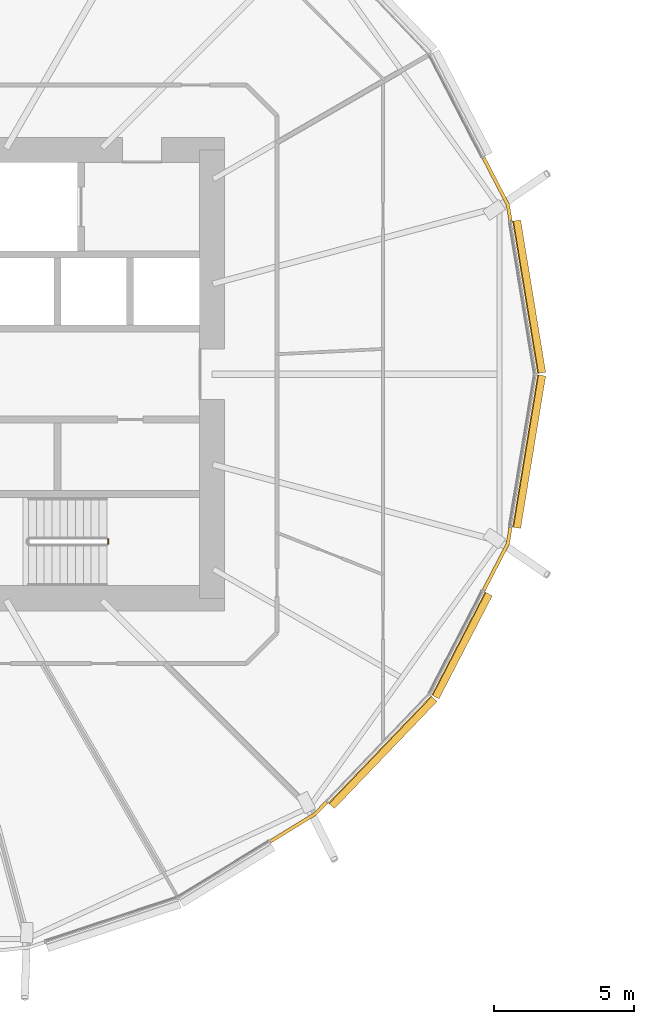
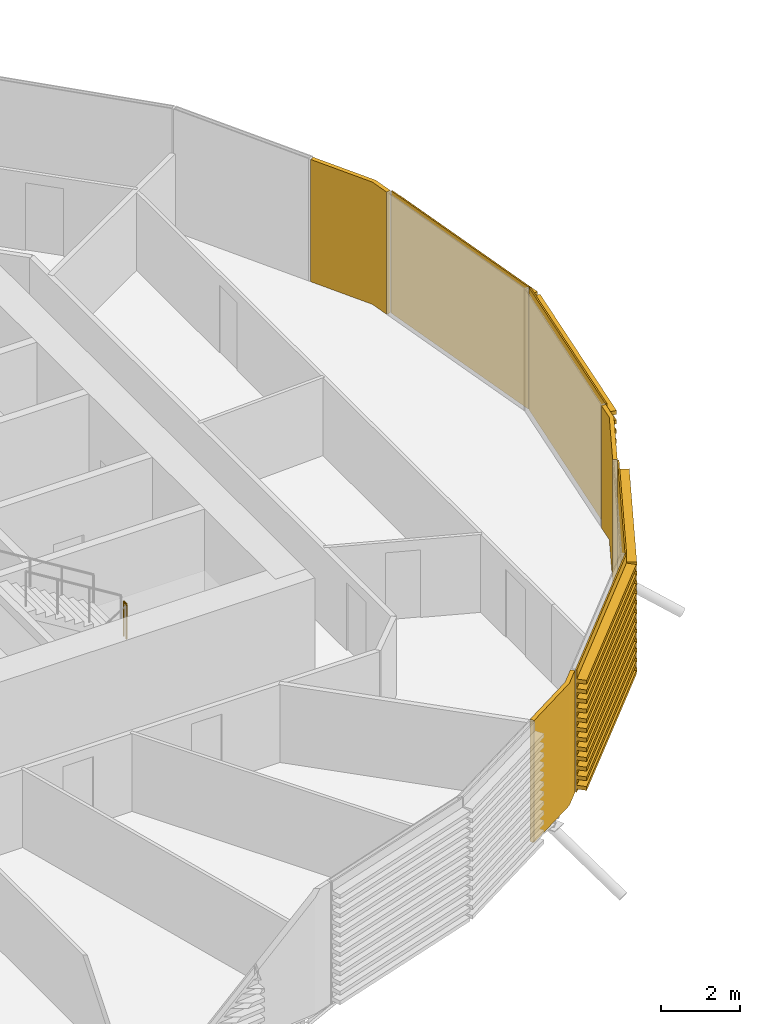
# One storey, part 34 of 38: 7 coverings, 1 railing.
"""IFC4 building model written with IfcOpenShell, lengths in metres."""

from ifc_helpers import new_model, si_unit, direction, frame, origin, origin_2d, place, context, subcontext, project, spatial, polyline, circle, outline, extrude, material, layer, layer_set, material_profile, profile_set, type_object, element, save


model = new_model("IFC4")

# Units and contexts
model_context = context("Model", 3, precision=1e-05, world=origin(), true_north=direction((0.0, 1.0)))
body_context = subcontext(model_context, "Body", "Model", "MODEL_VIEW")
ifc_project = project(units=[si_unit("LENGTHUNIT", "METRE"), si_unit("AREAUNIT", "SQUARE_METRE"), si_unit("VOLUMEUNIT", "CUBIC_METRE"), si_unit("PLANEANGLEUNIT", "RADIAN"), si_unit("MASSUNIT", "GRAM", prefix="KILO")], contexts=[model_context])

# Site, building, storey
site_placement = place(None, origin())
site = spatial("IfcSite", under=ifc_project, at=site_placement, CompositionType="ELEMENT")
building_placement = place(site_placement, origin())
building = spatial("IfcBuilding", under=site, at=building_placement, Name="Rimbun Link Towers", CompositionType="ELEMENT")
storey_placement = place(building_placement, frame((0.0, 0.0, 68.0)))
storey = spatial("IfcBuildingStorey", under=building, at=storey_placement, Name="L16", CompositionType="ELEMENT", Elevation=68.0)

# Coverings
ifc_material_1 = material(Name="Terracotta", Category="masonry")
ifc_layer = layer(ifc_material_1, 0.1201171875)
ifc_layer_set = layer_set([ifc_layer], Name="LINK PIER terracotta cladding 120")
covering_type_1 = type_object("IfcCoveringType", Name="LINK PIER terracotta cladding 120", PredefinedType="CLADDING", material=ifc_layer_set)
covering_1_placement = place(storey_placement, origin())
element("IfcCovering", 1, at=covering_1_placement, inside=storey, type_object=covering_type_1, Name="LINK PIER cladding", PredefinedType="CLADDING", context=body_context, shape_type="SweptSolid", body=[
    extrude(outline(polyline([(-10.106689453125, 7.6904296875), (-9.247314453125, 6.029541015625), (-9.15478515625, 5.467041015625), (-9.036376953125, 5.486572265625), (-9.1318359375, 6.06787109375), (-10.0, 7.74560546875), (-10.106689453125, 7.6904296875)])), origin(), (0.0, 0.0, 1.0), 3.800048828125),
])
covering_2_placement = place(storey_placement, origin())
element("IfcCovering", 2, at=covering_2_placement, inside=storey, type_object=covering_type_1, Name="LINK PIER cladding", PredefinedType="CLADDING", context=body_context, shape_type="SweptSolid", body=[
    extrude(outline(polyline([(-15.7080078125, -15.236083984375), (-16.102294921875, -15.647705078125), (-17.696044921875, -16.6259765625), (-17.63330078125, -16.728271484375), (-16.0263671875, -15.74169921875), (-15.621337890625, -15.319091796875), (-15.7080078125, -15.236083984375)])), origin(), (0.0, 0.0, 1.0), 3.800048828125),
])
covering_3_placement = place(storey_placement, origin())
element("IfcCovering", 3, at=covering_3_placement, inside=storey, type_object=covering_type_1, Name="LINK PIER cladding", PredefinedType="CLADDING", context=body_context, shape_type="SweptSolid", body=[
    extrude(outline(polyline([(-9.15478515625, -5.467041015625), (-9.247314453125, -6.029541015625), (-10.106689453125, -7.6904296875), (-10.0, -7.74560546875), (-9.1318359375, -6.06787109375), (-9.036376953125, -5.486572265625), (-9.15478515625, -5.467041015625)])), origin(), (0.0, 0.0, 1.0), 3.800048828125),
])

# Railing
ifc_material_2 = material(Name="Stainless steel grade 316", Category="steel")
railing_type = type_object("IfcRailingType", Name="Stair guard", PredefinedType="GUARDRAIL", material=ifc_material_2)
railing_placement = place(storey_placement, frame((-23.449951171875, -6.050048828125, 1.89990234375)))
element("IfcRailing", 4, at=railing_placement, inside=storey, type_object=railing_type, Name="L16 ST2 stair guard 2", PredefinedType="GUARDRAIL", context=body_context, shape_type="SweptSolid", body=[
    extrude(circle(Radius=0.02392578125, at=origin_2d()), frame((0.0, 0.0, 1.076171875), z_axis=(0.0, 1.0, 0.0), x_axis=(-1.0, 0.0, 0.0)), (0.0, 0.0, 1.0), 0.150146484375),
    extrude(circle(Radius=0.02099609375, at=origin_2d()), origin(), (0.0, 0.0, 1.0), 1.052001953125),
    extrude(circle(Radius=0.02099609375, at=origin_2d()), frame((0.0, 0.150146484375, 0.0)), (0.0, 0.0, 1.0), 1.052001953125),
])

# Coverings
ifc_material_3 = material(Name="Terracotta", Category="masonry")
ifc_material_profile = material_profile(ifc_material_3, outline(polyline([(0.123046875, 0.0), (0.1630859375, 0.0), (0.1630859375, 0.10009765625), (0.423095703125, 0.10009765625), (0.423095703125, 0.219970703125), (0.1630859375, 0.219970703125), (0.1630859375, 0.39990234375), (0.423095703125, 0.39990234375), (0.423095703125, 0.52001953125), (0.1630859375, 0.52001953125), (0.1630859375, 0.699951171875), (0.423095703125, 0.699951171875), (0.423095703125, 0.820068359375), (0.1630859375, 0.820068359375), (0.1630859375, 1.0), (0.423095703125, 1.0), (0.423095703125, 1.1201171875), (0.1630859375, 1.1201171875), (0.1630859375, 1.300048828125), (0.423095703125, 1.300048828125), (0.423095703125, 1.419921875), (0.1630859375, 1.419921875), (0.1630859375, 1.60009765625), (0.423095703125, 1.60009765625), (0.423095703125, 1.719970703125), (0.1630859375, 1.719970703125), (0.1630859375, 1.89990234375), (0.423095703125, 1.89990234375), (0.423095703125, 2.02001953125), (0.1630859375, 2.02001953125), (0.1630859375, 2.199951171875), (0.423095703125, 2.199951171875), (0.423095703125, 2.320068359375), (0.1630859375, 2.320068359375), (0.1630859375, 2.5), (0.423095703125, 2.5), (0.423095703125, 2.6201171875), (0.1630859375, 2.6201171875), (0.1630859375, 2.800048828125), (0.423095703125, 2.800048828125), (0.423095703125, 2.919921875), (0.1630859375, 2.919921875), (0.1630859375, 3.10009765625), (0.423095703125, 3.10009765625), (0.423095703125, 3.219970703125), (0.1630859375, 3.219970703125), (0.1630859375, 3.39990234375), (0.423095703125, 3.39990234375), (0.423095703125, 3.52001953125), (0.1630859375, 3.52001953125), (0.1630859375, 3.800048828125), (0.123046875, 3.800048828125), (0.123046875, 0.0)])), Name="BAGUETTE 120X300")
ifc_profile_set = profile_set([ifc_material_profile], Name="Terracotta")
covering_type_2 = type_object("IfcCoveringType", Name="TERRACOTTA BAGUETTE 120X300 H3800", PredefinedType="CLADDING", material=ifc_profile_set)
covering_4_placement = place(storey_placement, frame((-9.14990234375, 5.4375, 0.0), z_axis=(0.162286376516, -0.986743701271, 0.0), x_axis=(0.986743701271, 0.162286376516, 0.0)))
element("IfcCovering", 5, at=covering_4_placement, inside=storey, type_object=covering_type_2, Name="TERRACOTTA BAGUETTE", PredefinedType="CLADDING", context=body_context, shape_type="SweptSolid", body=[
    extrude(outline(polyline([(0.123046875, 0.0), (0.1630859375, 0.0), (0.1630859375, 0.10009765625), (0.423095703125, 0.10009765625), (0.423095703125, 0.219970703125), (0.1630859375, 0.219970703125), (0.1630859375, 0.39990234375), (0.423095703125, 0.39990234375), (0.423095703125, 0.52001953125), (0.1630859375, 0.52001953125), (0.1630859375, 0.699951171875), (0.423095703125, 0.699951171875), (0.423095703125, 0.820068359375), (0.1630859375, 0.820068359375), (0.1630859375, 1.0), (0.423095703125, 1.0), (0.423095703125, 1.1201171875), (0.1630859375, 1.1201171875), (0.1630859375, 1.300048828125), (0.423095703125, 1.300048828125), (0.423095703125, 1.419921875), (0.1630859375, 1.419921875), (0.1630859375, 1.60009765625), (0.423095703125, 1.60009765625), (0.423095703125, 1.719970703125), (0.1630859375, 1.719970703125), (0.1630859375, 1.89990234375), (0.423095703125, 1.89990234375), (0.423095703125, 2.02001953125), (0.1630859375, 2.02001953125), (0.1630859375, 2.199951171875), (0.423095703125, 2.199951171875), (0.423095703125, 2.320068359375), (0.1630859375, 2.320068359375), (0.1630859375, 2.5), (0.423095703125, 2.5), (0.423095703125, 2.6201171875), (0.1630859375, 2.6201171875), (0.1630859375, 2.800048828125), (0.423095703125, 2.800048828125), (0.423095703125, 2.919921875), (0.1630859375, 2.919921875), (0.1630859375, 3.10009765625), (0.423095703125, 3.10009765625), (0.423095703125, 3.219970703125), (0.1630859375, 3.219970703125), (0.1630859375, 3.39990234375), (0.423095703125, 3.39990234375), (0.423095703125, 3.52001953125), (0.1630859375, 3.52001953125), (0.1630859375, 3.800048828125), (0.123046875, 3.800048828125), (0.123046875, 0.0)])), origin(), (0.0, 0.0, 1.0), 5.510498046875),
])
covering_5_placement = place(storey_placement, frame((-12.02099609375, -11.390380859375, 0.0), z_axis=(-0.6920414756, -0.721857739482, 0.0), x_axis=(0.721857739482, -0.6920414756, 0.0)))
element("IfcCovering", 6, at=covering_5_placement, inside=storey, type_object=covering_type_2, Name="TERRACOTTA BAGUETTE", PredefinedType="CLADDING", context=body_context, shape_type="SweptSolid", body=[
    extrude(outline(polyline([(0.123046875, 0.0), (0.1630859375, 0.0), (0.1630859375, 0.10009765625), (0.423095703125, 0.10009765625), (0.423095703125, 0.219970703125), (0.1630859375, 0.219970703125), (0.1630859375, 0.39990234375), (0.423095703125, 0.39990234375), (0.423095703125, 0.52001953125), (0.1630859375, 0.52001953125), (0.1630859375, 0.699951171875), (0.423095703125, 0.699951171875), (0.423095703125, 0.820068359375), (0.1630859375, 0.820068359375), (0.1630859375, 1.0), (0.423095703125, 1.0), (0.423095703125, 1.1201171875), (0.1630859375, 1.1201171875), (0.1630859375, 1.300048828125), (0.423095703125, 1.300048828125), (0.423095703125, 1.419921875), (0.1630859375, 1.419921875), (0.1630859375, 1.60009765625), (0.423095703125, 1.60009765625), (0.423095703125, 1.719970703125), (0.1630859375, 1.719970703125), (0.1630859375, 1.89990234375), (0.423095703125, 1.89990234375), (0.423095703125, 2.02001953125), (0.1630859375, 2.02001953125), (0.1630859375, 2.199951171875), (0.423095703125, 2.199951171875), (0.423095703125, 2.320068359375), (0.1630859375, 2.320068359375), (0.1630859375, 2.5), (0.423095703125, 2.5), (0.423095703125, 2.6201171875), (0.1630859375, 2.6201171875), (0.1630859375, 2.800048828125), (0.423095703125, 2.800048828125), (0.423095703125, 2.919921875), (0.1630859375, 2.919921875), (0.1630859375, 3.10009765625), (0.423095703125, 3.10009765625), (0.423095703125, 3.219970703125), (0.1630859375, 3.219970703125), (0.1630859375, 3.39990234375), (0.423095703125, 3.39990234375), (0.423095703125, 3.52001953125), (0.1630859375, 3.52001953125), (0.1630859375, 3.800048828125), (0.123046875, 3.800048828125), (0.123046875, 0.0)])), origin(), (0.0, 0.0, 1.0), 5.2978515625),
])
covering_6_placement = place(storey_placement, frame((-10.120361328125, -7.717041015625, 0.0), z_axis=(-0.459543354424, -0.888155338556, 0.0), x_axis=(0.888155338556, -0.459543354424, 0.0)))
element("IfcCovering", 7, at=covering_6_placement, inside=storey, type_object=covering_type_2, Name="TERRACOTTA BAGUETTE", PredefinedType="CLADDING", context=body_context, shape_type="SweptSolid", body=[
    extrude(outline(polyline([(0.123046875, 0.0), (0.1630859375, 0.0), (0.1630859375, 0.10009765625), (0.423095703125, 0.10009765625), (0.423095703125, 0.219970703125), (0.1630859375, 0.219970703125), (0.1630859375, 0.39990234375), (0.423095703125, 0.39990234375), (0.423095703125, 0.52001953125), (0.1630859375, 0.52001953125), (0.1630859375, 0.699951171875), (0.423095703125, 0.699951171875), (0.423095703125, 0.820068359375), (0.1630859375, 0.820068359375), (0.1630859375, 1.0), (0.423095703125, 1.0), (0.423095703125, 1.1201171875), (0.1630859375, 1.1201171875), (0.1630859375, 1.300048828125), (0.423095703125, 1.300048828125), (0.423095703125, 1.419921875), (0.1630859375, 1.419921875), (0.1630859375, 1.60009765625), (0.423095703125, 1.60009765625), (0.423095703125, 1.719970703125), (0.1630859375, 1.719970703125), (0.1630859375, 1.89990234375), (0.423095703125, 1.89990234375), (0.423095703125, 2.02001953125), (0.1630859375, 2.02001953125), (0.1630859375, 2.199951171875), (0.423095703125, 2.199951171875), (0.423095703125, 2.320068359375), (0.1630859375, 2.320068359375), (0.1630859375, 2.5), (0.423095703125, 2.5), (0.423095703125, 2.6201171875), (0.1630859375, 2.6201171875), (0.1630859375, 2.800048828125), (0.423095703125, 2.800048828125), (0.423095703125, 2.919921875), (0.1630859375, 2.919921875), (0.1630859375, 3.10009765625), (0.423095703125, 3.10009765625), (0.423095703125, 3.219970703125), (0.1630859375, 3.219970703125), (0.1630859375, 3.39990234375), (0.423095703125, 3.39990234375), (0.423095703125, 3.52001953125), (0.1630859375, 3.52001953125), (0.1630859375, 3.800048828125), (0.123046875, 3.800048828125), (0.123046875, 0.0)])), origin(), (0.0, 0.0, 1.0), 4.135986328125),
])
covering_7_placement = place(storey_placement, frame((-8.255615234375, 0.0, 0.0), z_axis=(-0.162286376516, -0.986743701271, 0.0), x_axis=(0.986743701271, -0.162286376516, 0.0)))
element("IfcCovering", 8, at=covering_7_placement, inside=storey, type_object=covering_type_2, Name="TERRACOTTA BAGUETTE", PredefinedType="CLADDING", context=body_context, shape_type="SweptSolid", body=[
    extrude(outline(polyline([(0.123046875, 0.0), (0.1630859375, 0.0), (0.1630859375, 0.10009765625), (0.423095703125, 0.10009765625), (0.423095703125, 0.219970703125), (0.1630859375, 0.219970703125), (0.1630859375, 0.39990234375), (0.423095703125, 0.39990234375), (0.423095703125, 0.52001953125), (0.1630859375, 0.52001953125), (0.1630859375, 0.699951171875), (0.423095703125, 0.699951171875), (0.423095703125, 0.820068359375), (0.1630859375, 0.820068359375), (0.1630859375, 1.0), (0.423095703125, 1.0), (0.423095703125, 1.1201171875), (0.1630859375, 1.1201171875), (0.1630859375, 1.300048828125), (0.423095703125, 1.300048828125), (0.423095703125, 1.419921875), (0.1630859375, 1.419921875), (0.1630859375, 1.60009765625), (0.423095703125, 1.60009765625), (0.423095703125, 1.719970703125), (0.1630859375, 1.719970703125), (0.1630859375, 1.89990234375), (0.423095703125, 1.89990234375), (0.423095703125, 2.02001953125), (0.1630859375, 2.02001953125), (0.1630859375, 2.199951171875), (0.423095703125, 2.199951171875), (0.423095703125, 2.320068359375), (0.1630859375, 2.320068359375), (0.1630859375, 2.5), (0.423095703125, 2.5), (0.423095703125, 2.6201171875), (0.1630859375, 2.6201171875), (0.1630859375, 2.800048828125), (0.423095703125, 2.800048828125), (0.423095703125, 2.919921875), (0.1630859375, 2.919921875), (0.1630859375, 3.10009765625), (0.423095703125, 3.10009765625), (0.423095703125, 3.219970703125), (0.1630859375, 3.219970703125), (0.1630859375, 3.39990234375), (0.423095703125, 3.39990234375), (0.423095703125, 3.52001953125), (0.1630859375, 3.52001953125), (0.1630859375, 3.800048828125), (0.123046875, 3.800048828125), (0.123046875, 0.0)])), origin(), (0.0, 0.0, 1.0), 5.510498046875),
])

save(model, "model.ifc")
